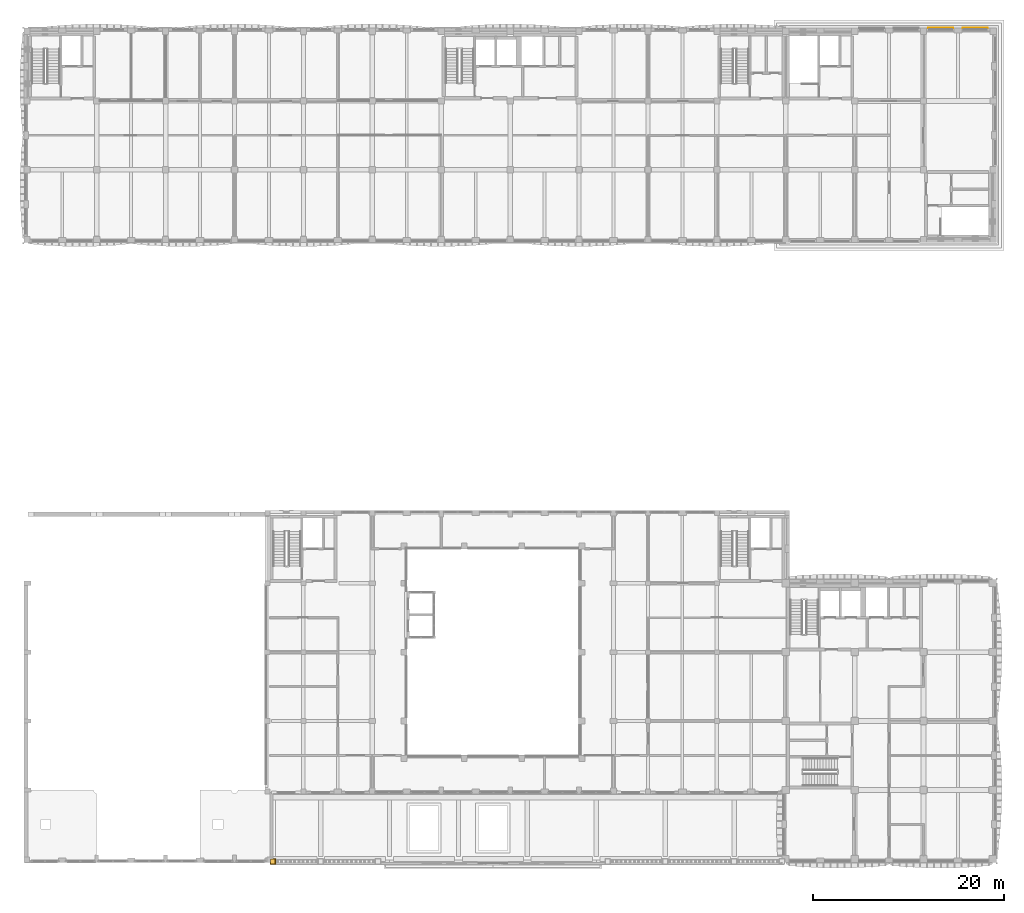
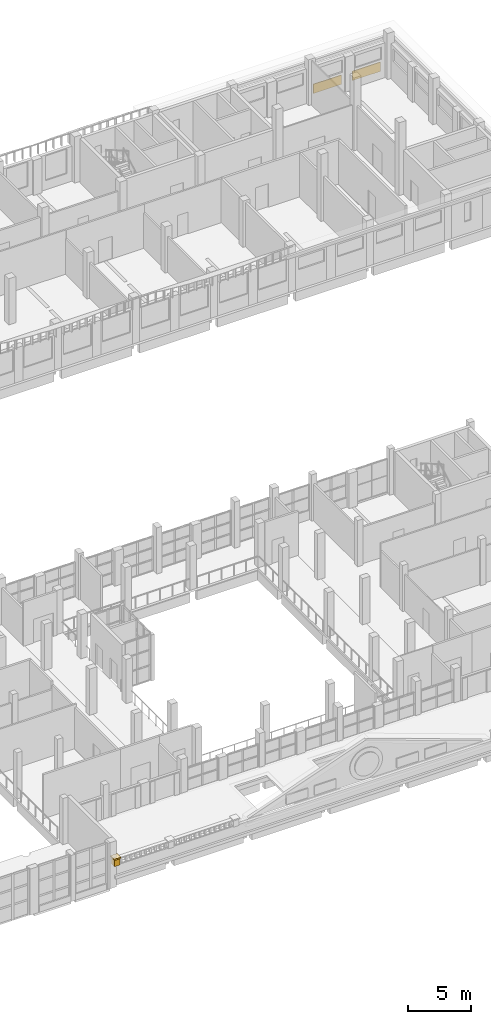
# One storey, part 54 of 58: 2 coverings, 2 shading devices.
"""IFC4 building model written with IfcOpenShell, lengths in metres."""

from ifc_helpers import new_model, si_unit, direction, frame, origin, origin_2d, place, context, subcontext, project, spatial, rectangle, extrude, material, layer, layer_set, type_object, element, save


model = new_model("IFC4")

# Units and contexts
model_context = context("Model", 3, precision=1e-05, world=origin(), true_north=direction((0.0, 1.0)))
body_context = subcontext(model_context, "Body", "Model", "MODEL_VIEW")
ifc_project = project(units=[si_unit("LENGTHUNIT", "METRE"), si_unit("AREAUNIT", "SQUARE_METRE"), si_unit("VOLUMEUNIT", "CUBIC_METRE"), si_unit("PLANEANGLEUNIT", "RADIAN"), si_unit("MASSUNIT", "GRAM", prefix="KILO")], contexts=[model_context])

# Site, building, storey
site_placement = place(None, origin())
site = spatial("IfcSite", under=ifc_project, at=site_placement, CompositionType="ELEMENT")
building_placement = place(site_placement, origin())
building = spatial("IfcBuilding", under=site, at=building_placement, Name="Ussher Court Research Institute", CompositionType="ELEMENT")
storey_placement = place(building_placement, frame((0.0, 0.0, 9.89990234375)))
storey = spatial("IfcBuildingStorey", under=building, at=storey_placement, Name="L02", CompositionType="ELEMENT", Elevation=9.89990234375)

# Coverings
ifc_material_1 = material(Name="Limestone cornice", Category="masonry")
covering_type_1 = type_object("IfcCoveringType", Name="Balustrade pier 500x650", PredefinedType="CLADDING", material=ifc_material_1)
covering_1_placement = place(storey_placement, frame((28.60009765625, 3.739990234375, 2.10009765625), z_axis=(0.0, 0.0, 1.0), x_axis=(1.0, 0.0, 0.0)))
element("IfcCovering", 1, at=covering_1_placement, inside=storey, type_object=covering_type_1, Name="Balustrade pier CC31", PredefinedType="CLADDING", context=body_context, shape_type="SweptSolid", body=[
    extrude(rectangle(XDim=0.5, YDim=0.5, at=origin_2d()), origin(), (0.0, 0.0, 1.0), 0.64990234375),
])
ifc_material_2 = material(Name="Limestone cornice", Category="masonry")
covering_type_2 = type_object("IfcCoveringType", Name="Balustrade pier cap 620x120", PredefinedType="CLADDING", material=ifc_material_2)
covering_2_placement = place(storey_placement, frame((28.60009765625, 3.739990234375, 2.75), z_axis=(0.0, 0.0, 1.0), x_axis=(1.0, 0.0, 0.0)))
element("IfcCovering", 2, at=covering_2_placement, inside=storey, type_object=covering_type_2, Name="Balustrade pier cap CC32", PredefinedType="CLADDING", context=body_context, shape_type="SweptSolid", body=[
    extrude(rectangle(XDim=0.6201171875, YDim=0.6201171875, at=origin_2d()), origin(), (0.0, 0.0, 1.0), 0.1201171875),
])

# Shading devices
ifc_material_3 = material(Name="Aluminium louvre", Category="aluminium")
ifc_layer = layer(ifc_material_3, 0.06005859375)
ifc_layer_set = layer_set([ifc_layer], Name="Aluminium louvre")
shading_device_type = type_object("IfcShadingDeviceType", Name="Louvre panel 2600x900", PredefinedType="USERDEFINED", material=ifc_layer_set)
for number, where, z_axis, x_axis, name in (
    (3, (98.39990234375, 90.830078125, 0.500244140625), (0.0, 0.0, 1.0), (1.0, 0.0, 0.0), "Louvre panel LV1 L02"),
    (4, (102.0, 90.830078125, 0.500244140625), (0.0, 0.0, 1.0), (1.0, 0.0, 0.0), "Louvre panel LV1 L02"),
):
    element("IfcShadingDevice", number, at=place(storey_placement, frame(where, z_axis=z_axis, x_axis=x_axis)), inside=storey, type_object=shading_device_type, Name=name, ObjectType="LOUVRE", PredefinedType="USERDEFINED", context=body_context, shape_type="SweptSolid", body=[
        extrude(rectangle(XDim=2.60009765625, YDim=0.06005859375, at=origin_2d()), origin(), (0.0, 0.0, 1.0), 0.89990234375),
    ])

save(model, "model.ifc")
